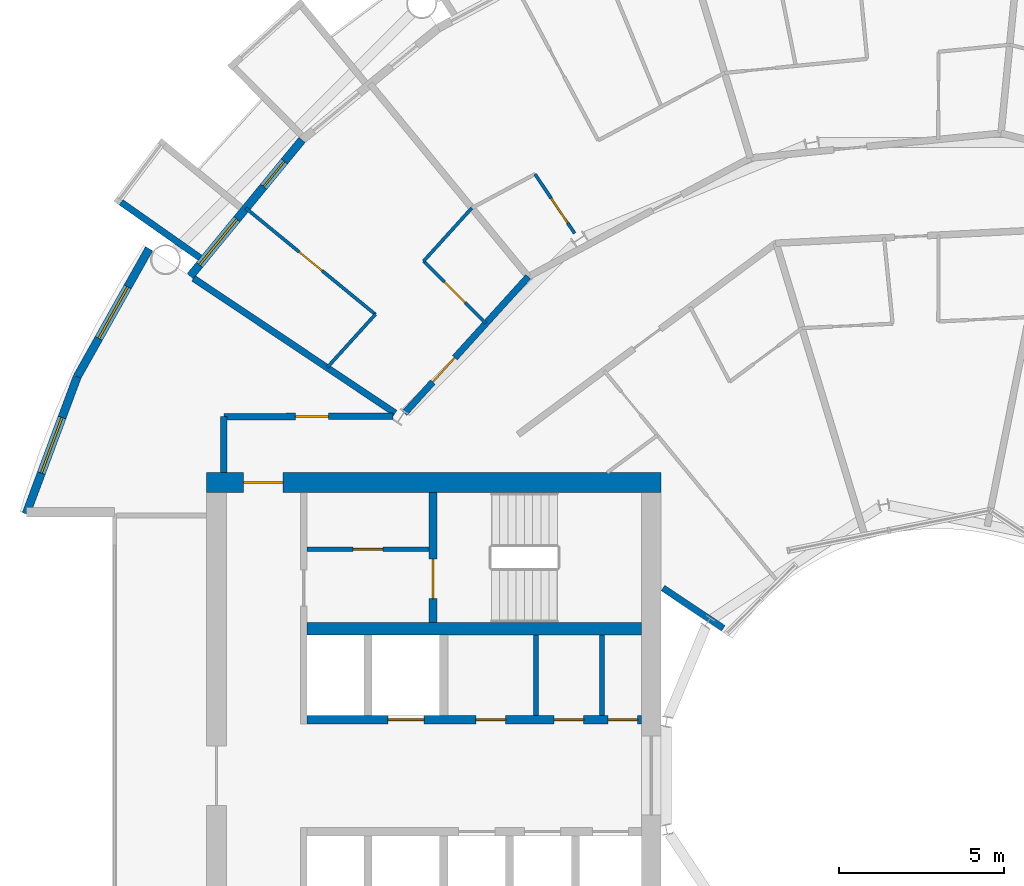
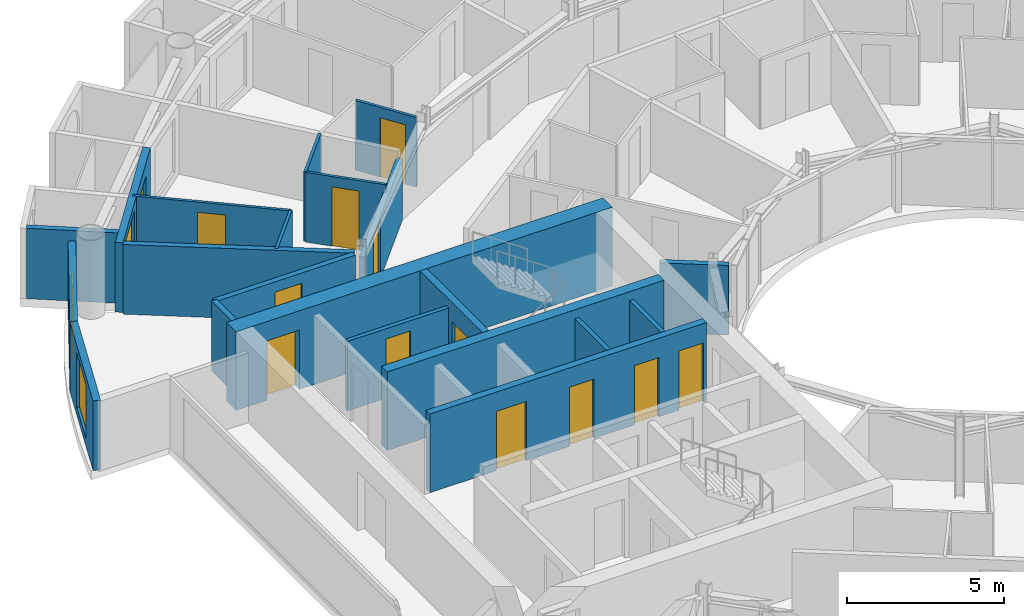
# One storey, part 19 of 26: 21 walls, 13 doors, 3 windows, 16 openings.
"""IFC4 building model written with IfcOpenShell, lengths in metres."""

from ifc_helpers import new_model, si_unit, direction, frame, frame_2d, origin, place, context, subcontext, project, spatial, rectangle, extrude, material, layer, layer_set, type_object, element, fill, save


model = new_model("IFC4")

# Units and contexts
model_context = context("Model", 3, precision=1e-05, world=origin(), true_north=direction((0.0, 1.0)))
body_context = subcontext(model_context, "Body", "Model", "MODEL_VIEW")
ifc_project = project(units=[si_unit("LENGTHUNIT", "METRE"), si_unit("AREAUNIT", "SQUARE_METRE"), si_unit("VOLUMEUNIT", "CUBIC_METRE"), si_unit("PLANEANGLEUNIT", "RADIAN"), si_unit("MASSUNIT", "GRAM", prefix="KILO")], contexts=[model_context])

# Site, building, storey
site_placement = place(None, origin())
site = spatial("IfcSite", under=ifc_project, at=site_placement, CompositionType="ELEMENT")
building_placement = place(site_placement, origin())
building = spatial("IfcBuilding", under=site, at=building_placement, Name="Maasbend Ring Residences", CompositionType="ELEMENT")
storey_placement = place(building_placement, frame((0.0, 0.0, 123.85009765625)))
storey = spatial("IfcBuildingStorey", under=building, at=storey_placement, Name="L35", CompositionType="ELEMENT", Elevation=123.85009765625)

# Wall, openings, doors
ifc_material_1 = material(Name="Concrete C60/75", Category="concrete")
ifc_layer_1 = layer(ifc_material_1, 0.25)
ifc_layer_set_1 = layer_set([ifc_layer_1], Name="Concrete C60/75")
wall_type_1 = type_object("IfcWallType", Name="CORE WALL 250 C60/75", PredefinedType="SHEAR", material=ifc_layer_set_1)
wall_1_placement = place(storey_placement, frame((-19.14990234375, 1.699951171875, 0.0), z_axis=(0.0, 0.0, 1.0), x_axis=(1.0, 0.0, 0.0)))
wall_1 = element("IfcWall", 1, at=wall_1_placement, inside=storey, type_object=wall_type_1, Name="L35 core W wall SPS", PredefinedType="SHEAR", context=body_context, shape_type="SweptSolid", body=[
    extrude(rectangle(XDim=10.14990234375, YDim=0.25, at=frame_2d((5.074951171875, 0.0))), origin(), (0.0, 0.0, 1.0), 3.0498046875),
])
opening_1_placement = place(wall_1_placement, frame((2.449951171875, 0.0, 0.0)))
opening_1 = element("IfcOpeningElement", 2, at=opening_1_placement, cuts=wall_1, Name="Opening LD-W3505", PredefinedType="OPENING", context=body_context, shape_type="SweptSolid", body=[
    extrude(rectangle(XDim=1.10009765625, YDim=2.300048828125, at=frame_2d((0.550048828125, 1.14990234375))), frame((0.0, 0.135009765625, 0.0), z_axis=(0.0, -1.0, 0.0), x_axis=(1.0, 0.0, 0.0)), (0.0, 0.0, 1.0), 0.27001953125),
])
opening_2_placement = place(wall_1_placement, frame((9.137451171875, 0.0, 0.0)))
opening_2 = element("IfcOpeningElement", 3, at=opening_2_placement, cuts=wall_1, Name="Opening D-W3506", PredefinedType="OPENING", context=body_context, shape_type="SweptSolid", body=[
    extrude(rectangle(XDim=0.89990234375, YDim=2.300048828125, at=frame_2d((0.449951171875, 1.14990234375))), frame((0.0, 0.135009765625, 0.0), z_axis=(0.0, -1.0, 0.0), x_axis=(1.0, 0.0, 0.0)), (0.0, 0.0, 1.0), 0.27001953125),
])
opening_3_placement = place(wall_1_placement, frame((7.5, 0.0, 0.0)))
opening_3 = element("IfcOpeningElement", 4, at=opening_3_placement, cuts=wall_1, Name="Opening D-W3507", PredefinedType="OPENING", context=body_context, shape_type="SweptSolid", body=[
    extrude(rectangle(XDim=0.89990234375, YDim=2.300048828125, at=frame_2d((0.449951171875, 1.14990234375))), frame((0.0, 0.135009765625, 0.0), z_axis=(0.0, -1.0, 0.0), x_axis=(1.0, 0.0, 0.0)), (0.0, 0.0, 1.0), 0.27001953125),
])
opening_4_placement = place(wall_1_placement, frame((5.125, 0.0, 0.0)))
opening_4 = element("IfcOpeningElement", 5, at=opening_4_placement, cuts=wall_1, Name="Opening D-W3508", PredefinedType="OPENING", context=body_context, shape_type="SweptSolid", body=[
    extrude(rectangle(XDim=0.89990234375, YDim=2.300048828125, at=frame_2d((0.449951171875, 1.14990234375))), frame((0.0, 0.135009765625, 0.0), z_axis=(0.0, -1.0, 0.0), x_axis=(1.0, 0.0, 0.0)), (0.0, 0.0, 1.0), 0.27001953125),
])
ifc_material_2 = material(Name="Stainless steel 316", Category="steel")
door_type_1 = type_object("IfcDoorType", Name="LANDING DOOR 1100 X 2300 FD60", OperationType="DOUBLE_DOOR_SLIDING", PredefinedType="DOOR", material=ifc_material_2)
door_1_placement = place(opening_1_placement, origin())
door_1 = element("IfcDoor", 6, at=door_1_placement, inside=storey, type_object=door_type_1, Name="Landing door SV-W L35", OperationType="DOUBLE_DOOR_SLIDING", OverallHeight=2.300048828125, OverallWidth=1.10009765625, PredefinedType="DOOR", context=body_context, shape_type="SweptSolid", body=[
    extrude(rectangle(XDim=1.10009765625, YDim=2.300048828125, at=frame_2d((0.550048828125, 1.14990234375))), frame((0.0, 0.02490234375, 0.0), z_axis=(0.0, -1.0, 0.0), x_axis=(1.0, 0.0, 0.0)), (0.0, 0.0, 1.0), 0.050048828125),
])
fill(opening_1, door_1)
ifc_material_3 = material(Name="Steel, powder coated", Category="steel")
door_type_2 = type_object("IfcDoorType", Name="ROOM DOOR 900 X 2300 FD30S", OperationType="NOTDEFINED", PredefinedType="DOOR", material=ifc_material_3)
door_2_placement = place(opening_2_placement, origin())
door_2 = element("IfcDoor", 7, at=door_2_placement, inside=storey, type_object=door_type_2, Name="Room door L35", OperationType="SINGLE_SWING_LEFT", OverallHeight=2.300048828125, OverallWidth=0.89990234375, PredefinedType="DOOR", context=body_context, shape_type="SweptSolid", body=[
    extrude(rectangle(XDim=0.89990234375, YDim=2.300048828125, at=frame_2d((0.449951171875, 1.14990234375))), frame((0.0, 0.02490234375, 0.0), z_axis=(0.0, -1.0, 0.0), x_axis=(1.0, 0.0, 0.0)), (0.0, 0.0, 1.0), 0.050048828125),
])
fill(opening_2, door_2)
door_3_placement = place(opening_3_placement, origin())
door_3 = element("IfcDoor", 8, at=door_3_placement, inside=storey, type_object=door_type_2, Name="Room door L35", OperationType="SINGLE_SWING_LEFT", OverallHeight=2.300048828125, OverallWidth=0.89990234375, PredefinedType="DOOR", context=body_context, shape_type="SweptSolid", body=[
    extrude(rectangle(XDim=0.89990234375, YDim=2.300048828125, at=frame_2d((0.449951171875, 1.14990234375))), frame((0.0, 0.02490234375, 0.0), z_axis=(0.0, -1.0, 0.0), x_axis=(1.0, 0.0, 0.0)), (0.0, 0.0, 1.0), 0.050048828125),
])
fill(opening_3, door_3)
door_4_placement = place(opening_4_placement, origin())
door_4 = element("IfcDoor", 9, at=door_4_placement, inside=storey, type_object=door_type_2, Name="Room door L35", OperationType="SINGLE_SWING_LEFT", OverallHeight=2.300048828125, OverallWidth=0.89990234375, PredefinedType="DOOR", context=body_context, shape_type="SweptSolid", body=[
    extrude(rectangle(XDim=0.89990234375, YDim=2.300048828125, at=frame_2d((0.449951171875, 1.14990234375))), frame((0.0, 0.02490234375, 0.0), z_axis=(0.0, -1.0, 0.0), x_axis=(1.0, 0.0, 0.0)), (0.0, 0.0, 1.0), 0.050048828125),
])
fill(opening_4, door_4)

# Wall, opening, door
wall_2_placement = place(storey_placement, frame((-15.324951171875, 8.60009765625, 0.0), z_axis=(0.0, 0.0, 1.0), x_axis=(0.0, -1.0, 0.0)))
wall_2 = element("IfcWall", 10, at=wall_2_placement, inside=storey, type_object=wall_type_1, Name="L35 core W wall STES", PredefinedType="SHEAR", context=body_context, shape_type="SweptSolid", body=[
    extrude(rectangle(XDim=3.9501953125, YDim=0.25, at=frame_2d((1.97509765625, 0.0))), origin(), (0.0, 0.0, 1.0), 3.0498046875),
])
opening_5_placement = place(wall_2_placement, frame((2.02490234375, 0.0, 0.0)))
opening_5 = element("IfcOpeningElement", 11, at=opening_5_placement, cuts=wall_2, Name="Opening D-W3511", PredefinedType="OPENING", context=body_context, shape_type="SweptSolid", body=[
    extrude(rectangle(XDim=1.199951171875, YDim=2.300048828125, at=frame_2d((0.60009765625, 1.14990234375))), frame((0.0, 0.135009765625, 0.0), z_axis=(0.0, -1.0, 0.0), x_axis=(1.0, 0.0, 0.0)), (0.0, 0.0, 1.0), 0.27001953125),
])
ifc_material_4 = material(Name="Steel, powder coated", Category="steel")
door_type_3 = type_object("IfcDoorType", Name="STAIR DOOR 1200 X 2300 FD60", OperationType="NOTDEFINED", PredefinedType="DOOR", material=ifc_material_4)
door_5_placement = place(opening_5_placement, origin())
door_5 = element("IfcDoor", 12, at=door_5_placement, inside=storey, type_object=door_type_3, Name="Stair door ST-W L35", OperationType="SINGLE_SWING_LEFT", OverallHeight=2.300048828125, OverallWidth=1.199951171875, PredefinedType="DOOR", context=body_context, shape_type="SweptSolid", body=[
    extrude(rectangle(XDim=1.199951171875, YDim=2.300048828125, at=frame_2d((0.60009765625, 1.14990234375))), frame((0.0, 0.02490234375, 0.0), z_axis=(0.0, -1.0, 0.0), x_axis=(1.0, 0.0, 0.0)), (0.0, 0.0, 1.0), 0.050048828125),
])
fill(opening_5, door_5)

# Wall
ifc_material_5 = material(Name="Concrete C60/75", Category="concrete")
ifc_layer_2 = layer(ifc_material_5, 0.375)
ifc_layer_set_2 = layer_set([ifc_layer_2], Name="Concrete C60/75")
wall_type_2 = type_object("IfcWallType", Name="CORE WALL 375 C60/75", PredefinedType="SHEAR", material=ifc_layer_set_2)
wall_3_placement = place(storey_placement, frame((-9.0, 4.46240234375, 0.0), z_axis=(0.0, 0.0, 1.0), x_axis=(-1.0, 0.0, 0.0)))
element("IfcWall", 13, at=wall_3_placement, inside=storey, type_object=wall_type_2, Name="L35 core W wall BS", PredefinedType="SHEAR", context=body_context, shape_type="SweptSolid", body=[
    extrude(rectangle(XDim=10.14990234375, YDim=0.375, at=frame_2d((5.074951171875, 0.0))), origin(), (0.0, 0.0, 1.0), 3.0498046875),
])

# Wall, opening, door
ifc_material_6 = material(Name="Concrete C60/75", Category="concrete")
ifc_layer_3 = layer(ifc_material_6, 0.60009765625)
ifc_layer_set_3 = layer_set([ifc_layer_3], Name="Concrete C60/75")
wall_type_3 = type_object("IfcWallType", Name="CORE WALL 600 C60/75", PredefinedType="SHEAR", material=ifc_layer_set_3)
wall_4_placement = place(storey_placement, frame((-8.39990234375, 8.89990234375, 0.0), z_axis=(0.0, 0.0, 1.0), x_axis=(-1.0, 0.0, 0.0)))
wall_4 = element("IfcWall", 14, at=wall_4_placement, inside=storey, type_object=wall_type_3, Name="L35 core W wall PS", PredefinedType="SHEAR", context=body_context, shape_type="SweptSolid", body=[
    extrude(rectangle(XDim=13.800048828125, YDim=0.60009765625, at=frame_2d((6.89990234375, 0.0))), origin(), (0.0, 0.0, 1.0), 3.0498046875),
])
opening_6_placement = place(wall_4_placement, frame((11.47509765625, 0.0, 0.0)))
opening_6 = element("IfcOpeningElement", 15, at=opening_6_placement, cuts=wall_4, Name="Opening D-W3515", PredefinedType="OPENING", context=body_context, shape_type="SweptSolid", body=[
    extrude(rectangle(XDim=1.199951171875, YDim=2.300048828125, at=frame_2d((0.60009765625, 1.14990234375))), frame((0.0, 0.31005859375, 0.0), z_axis=(0.0, -1.0, 0.0), x_axis=(1.0, 0.0, 0.0)), (0.0, 0.0, 1.0), 0.6201171875),
])
ifc_material_7 = material(Name="Steel, powder coated", Category="steel")
door_type_4 = type_object("IfcDoorType", Name="CORRIDOR DOOR 1200 X 2300 FD30S", OperationType="NOTDEFINED", PredefinedType="DOOR", material=ifc_material_7)
door_6_placement = place(opening_6_placement, origin())
door_6 = element("IfcDoor", 16, at=door_6_placement, inside=storey, type_object=door_type_4, Name="Corridor door L35", OperationType="SINGLE_SWING_LEFT", OverallHeight=2.300048828125, OverallWidth=1.199951171875, PredefinedType="DOOR", context=body_context, shape_type="SweptSolid", body=[
    extrude(rectangle(XDim=1.199951171875, YDim=2.300048828125, at=frame_2d((0.60009765625, 1.14990234375))), frame((0.0, 0.02490234375, 0.0), z_axis=(0.0, -1.0, 0.0), x_axis=(1.0, 0.0, 0.0)), (0.0, 0.0, 1.0), 0.050048828125),
])
fill(opening_6, door_6)

ifc_material_8 = material(Name="Concrete C30/37", Category="concrete")
ifc_layer_4 = layer(ifc_material_8, 0.199951171875)
ifc_layer_set_4 = layer_set([ifc_layer_4], Name="Concrete C30/37")
wall_type_4 = type_object("IfcWallType", Name="CORRIDOR WALL 200 CONCRETE", PredefinedType="PARTITIONING", material=ifc_layer_set_4)
wall_5_placement = place(storey_placement, frame((-21.675048828125, 10.89990234375, 0.0), z_axis=(0.0, 0.0, 1.0), x_axis=(0.999997173357, 0.002377662213, 0.0)))
wall_5 = element("IfcWall", 17, at=wall_5_placement, inside=storey, type_object=wall_type_4, Name="U-L35-w098", PredefinedType="PARTITIONING", context=body_context, shape_type="SweptSolid", body=[
    extrude(rectangle(XDim=5.134033203125, YDim=0.199951171875, at=frame_2d((2.56689453125, 0.0))), origin(), (0.0, 0.0, 1.0), 2.699951171875),
])
opening_7_placement = place(wall_5_placement, frame((2.1708984375, 0.0, 0.0)))
opening_7 = element("IfcOpeningElement", 18, at=opening_7_placement, cuts=wall_5, Name="Opening D-3564", PredefinedType="OPENING", context=body_context, shape_type="SweptSolid", body=[
    extrude(rectangle(XDim=1.0, YDim=2.300048828125, at=frame_2d((0.5, 1.14990234375))), frame((0.0, 0.10986328125, 0.0), z_axis=(0.0, -1.0, 0.0), x_axis=(1.0, 0.0, 0.0)), (0.0, 0.0, 1.0), 0.219970703125),
])
ifc_material_9 = material(Name="Timber, painted", Category="wood")
door_type_5 = type_object("IfcDoorType", Name="ROOM DOOR 1000 X 2300", OperationType="NOTDEFINED", PredefinedType="DOOR", material=ifc_material_9)
door_7_placement = place(opening_7_placement, origin())
door_7 = element("IfcDoor", 19, at=door_7_placement, inside=storey, type_object=door_type_5, Name="D-3564", OperationType="SINGLE_SWING_RIGHT", OverallHeight=2.300048828125, OverallWidth=1.0, PredefinedType="DOOR", context=body_context, shape_type="SweptSolid", body=[
    extrude(rectangle(XDim=1.0, YDim=2.300048828125, at=frame_2d((0.5, 1.14990234375))), frame((0.0, 0.02490234375, 0.0), z_axis=(0.0, -1.0, 0.0), x_axis=(1.0, 0.0, 0.0)), (0.0, 0.0, 1.0), 0.050048828125),
])
fill(opening_7, door_7)

wall_6_placement = place(storey_placement, frame((-16.19189453125, 11.00390625, 0.0), z_axis=(0.0, 0.0, 1.0), x_axis=(0.671481997275, 0.741020868354, 0.0)))
wall_6 = element("IfcWall", 20, at=wall_6_placement, inside=storey, type_object=wall_type_4, Name="U-L35-w111", PredefinedType="PARTITIONING", context=body_context, shape_type="SweptSolid", body=[
    extrude(rectangle(XDim=5.59619140625, YDim=0.199951171875, at=frame_2d((2.798095703125, 0.0))), origin(), (0.0, 0.0, 1.0), 2.389892578125),
])
opening_8_placement = place(wall_6_placement, frame((1.277099609375, 0.0, 0.0)))
opening_8 = element("IfcOpeningElement", 21, at=opening_8_placement, cuts=wall_6, Name="Opening D-3518", PredefinedType="OPENING", context=body_context, shape_type="SweptSolid", body=[
    extrude(rectangle(XDim=1.0, YDim=2.300048828125, at=frame_2d((0.5, 1.14990234375))), frame((0.0, 0.10986328125, 0.0), z_axis=(0.0, -1.0, 0.0), x_axis=(1.0, 0.0, 0.0)), (0.0, 0.0, 1.0), 0.219970703125),
])
ifc_material_10 = material(Name="Timber, fire-rated, painted", Category="wood")
door_type_6 = type_object("IfcDoorType", Name="FLAT ENTRANCE DOOR 1000 X 2300 FIRE-RATED", OperationType="NOTDEFINED", PredefinedType="DOOR", material=ifc_material_10)
door_8_placement = place(opening_8_placement, origin())
door_8 = element("IfcDoor", 22, at=door_8_placement, inside=storey, type_object=door_type_6, Name="D-3518", OperationType="SINGLE_SWING_LEFT", OverallHeight=2.300048828125, OverallWidth=1.0, PredefinedType="DOOR", context=body_context, shape_type="SweptSolid", body=[
    extrude(rectangle(XDim=1.0, YDim=2.300048828125, at=frame_2d((0.5, 1.14990234375))), frame((0.0, 0.02490234375, 0.0), z_axis=(0.0, -1.0, 0.0), x_axis=(1.0, 0.0, 0.0)), (0.0, 0.0, 1.0), 0.050048828125),
])
fill(opening_8, door_8)

# Walls
wall_7_placement = place(storey_placement, frame((-21.675048828125, 9.199951171875, 0.0), z_axis=(0.0, 0.0, 1.0), x_axis=(0.0, 1.0, 0.0)))
element("IfcWall", 23, at=wall_7_placement, inside=storey, type_object=wall_type_4, Name="U-L35-w118", PredefinedType="PARTITIONING", context=body_context, shape_type="SweptSolid", body=[
    extrude(rectangle(XDim=1.699951171875, YDim=0.199951171875, at=frame_2d((0.85009765625, 0.0))), origin(), (0.0, 0.0, 1.0), 2.699951171875),
])
ifc_material_11 = material(Name="Pale anodised aluminium panel", Category="aluminium")
ifc_layer_5 = layer(ifc_material_11, 0.199951171875)
ifc_layer_set_5 = layer_set([ifc_layer_5], Name="EW-BOX")
wall_type_5 = type_object("IfcWallType", Name="EW-BOX", PredefinedType="SOLIDWALL", material=ifc_layer_set_5)
wall_8_placement = place(storey_placement, frame((-22.402099609375, 15.72607421875, -0.030029296875), z_axis=(0.0, 0.0, 1.0), x_axis=(-0.818275399393, 0.574826383135, 0.0)))
element("IfcWall", 24, at=wall_8_placement, inside=storey, type_object=wall_type_5, Name="Box side wall N20 right", PredefinedType="SOLIDWALL", context=body_context, shape_type="SweptSolid", body=[
    extrude(rectangle(XDim=2.92919921875, YDim=0.199951171875, at=frame_2d((1.464599609375, 0.0))), origin(), (0.0, 0.0, 1.0), 2.72998046875),
])

# Wall, openings, door, window
ifc_material_12 = material(Name="Aluminium clad insulated panel", Category="aluminium")
ifc_layer_6 = layer(ifc_material_12, 0.25)
ifc_layer_set_6 = layer_set([ifc_layer_6], Name="EW-GL")
wall_type_6 = type_object("IfcWallType", Name="EW-GL", PredefinedType="SOLIDWALL", material=ifc_layer_set_6)
wall_9_placement = place(storey_placement, frame((-19.303955078125, 19.303955078125, 0.0), z_axis=(0.0, 0.0, 1.0), x_axis=(-0.634382322723, -0.773019449054, 0.0)))
wall_9 = element("IfcWall", 25, at=wall_9_placement, inside=storey, type_object=wall_type_6, Name="External wall N10", PredefinedType="SOLIDWALL", context=body_context, shape_type="SweptSolid", body=[
    extrude(rectangle(XDim=5.351806640625, YDim=0.25, at=frame_2d((2.67578125, 0.0))), origin(), (0.0, 0.0, 1.0), 2.699951171875),
])
opening_9_placement = place(wall_9_placement, frame((0.841064453125, 0.0, 0.0)))
opening_9 = element("IfcOpeningElement", 26, at=opening_9_placement, cuts=wall_9, Name="Opening D-LG", PredefinedType="OPENING", context=body_context, shape_type="SweptSolid", body=[
    extrude(rectangle(XDim=1.0, YDim=2.199951171875, at=frame_2d((0.5, 1.10009765625))), frame((0.0, 0.135009765625, 0.0), z_axis=(0.0, -1.0, 0.0), x_axis=(1.0, 0.0, 0.0)), (0.0, 0.0, 1.0), 0.27001953125),
])
opening_10_placement = place(wall_9_placement, frame((3.110595703125, 0.0, 0.300048828125)))
opening_10 = element("IfcOpeningElement", 27, at=opening_10_placement, cuts=wall_9, Name="Opening W-BX", PredefinedType="OPENING", context=body_context, shape_type="SweptSolid", body=[
    extrude(rectangle(XDim=1.800048828125, YDim=2.10009765625, at=frame_2d((0.89990234375, 1.050048828125))), frame((0.0, 0.135009765625, 0.0), z_axis=(0.0, -1.0, 0.0), x_axis=(1.0, 0.0, 0.0)), (0.0, 0.0, 1.0), 0.27001953125),
])
ifc_material_13 = material(Name="Aluminium and clear glass", Category="aluminium")
door_type_7 = type_object("IfcDoorType", Name="D-LG", OperationType="SINGLE_SWING_LEFT", PredefinedType="DOOR", material=ifc_material_13)
door_9_placement = place(opening_9_placement, origin())
door_9 = element("IfcDoor", 28, at=door_9_placement, inside=storey, type_object=door_type_7, Name="Loggia door N19", OperationType="SINGLE_SWING_LEFT", OverallHeight=2.199951171875, OverallWidth=1.0, PredefinedType="DOOR", context=body_context, shape_type="SweptSolid", body=[
    extrude(rectangle(XDim=1.0, YDim=2.199951171875, at=frame_2d((0.5, 1.10009765625))), frame((0.0, 0.02490234375, 0.0), z_axis=(0.0, -1.0, 0.0), x_axis=(1.0, 0.0, 0.0)), (0.0, 0.0, 1.0), 0.050048828125),
])
fill(opening_9, door_9)
ifc_material_14 = material(Name="Aluminium and clear glass", Category="aluminium")
window_type = type_object("IfcWindowType", Name="W-BX", PartitioningType="DOUBLE_PANEL_VERTICAL", PredefinedType="WINDOW", material=ifc_material_14)
window_1_placement = place(opening_10_placement, origin())
window_1 = element("IfcWindow", 29, at=window_1_placement, inside=storey, type_object=window_type, Name="Window N20 room to box", OverallHeight=2.10009765625, OverallWidth=1.800048828125, PartitioningType="SINGLE_PANEL", PredefinedType="WINDOW", context=body_context, shape_type="SweptSolid", body=[
    extrude(rectangle(XDim=1.800048828125, YDim=2.10009765625, at=frame_2d((0.89990234375, 1.050048828125))), frame((0.0, 0.030029296875, 0.0), z_axis=(0.0, -1.0, 0.0), x_axis=(1.0, 0.0, 0.0)), (0.0, 0.0, 1.0), 0.06005859375),
])
fill(opening_10, window_1)

# Wall, opening, window
ifc_material_15 = material(Name="Aluminium clad insulated panel", Category="aluminium")
ifc_layer_7 = layer(ifc_material_15, 0.25)
ifc_layer_set_7 = layer_set([ifc_layer_7], Name="EW-HORN")
wall_type_7 = type_object("IfcWallType", Name="EW-HORN", PredefinedType="SOLIDWALL", material=ifc_layer_set_7)
wall_10_placement = place(storey_placement, frame((-23.946044921875, 16.0, 0.0), z_axis=(0.0, 0.0, 1.0), x_axis=(-0.489696356642, -0.871893042919, 0.0)))
wall_10 = element("IfcWall", 30, at=wall_10_placement, inside=storey, type_object=wall_type_7, Name="Horn wall 4.1", PredefinedType="SOLIDWALL", context=body_context, shape_type="SweptSolid", body=[
    extrude(rectangle(XDim=4.45361328125, YDim=0.25, at=frame_2d((2.226806640625, 0.0))), origin(), (0.0, 0.0, 1.0), 2.699951171875),
])
opening_11_placement = place(wall_10_placement, frame((1.32666015625, 0.0, 0.300048828125)))
opening_11 = element("IfcOpeningElement", 31, at=opening_11_placement, cuts=wall_10, Name="Opening W-BX", PredefinedType="OPENING", context=body_context, shape_type="SweptSolid", body=[
    extrude(rectangle(XDim=1.800048828125, YDim=2.10009765625, at=frame_2d((0.89990234375, 1.050048828125))), frame((0.0, 0.135009765625, 0.0), z_axis=(0.0, -1.0, 0.0), x_axis=(1.0, 0.0, 0.0)), (0.0, 0.0, 1.0), 0.27001953125),
])
window_2_placement = place(opening_11_placement, origin())
window_2 = element("IfcWindow", 32, at=window_2_placement, inside=storey, type_object=window_type, Name="Horn window 4.1", OverallHeight=2.10009765625, OverallWidth=1.800048828125, PartitioningType="SINGLE_PANEL", PredefinedType="WINDOW", context=body_context, shape_type="SweptSolid", body=[
    extrude(rectangle(XDim=1.800048828125, YDim=2.10009765625, at=frame_2d((0.89990234375, 1.050048828125))), frame((0.0, 0.030029296875, 0.0), z_axis=(0.0, -1.0, 0.0), x_axis=(1.0, 0.0, 0.0)), (0.0, 0.0, 1.0), 0.06005859375),
])
fill(opening_11, window_2)

wall_11_placement = place(storey_placement, frame((-26.126953125, 12.116943359375, 0.0), z_axis=(0.0, 0.0, 1.0), x_axis=(-0.349247811493, -0.937030397675, 0.0)))
wall_11 = element("IfcWall", 33, at=wall_11_placement, inside=storey, type_object=wall_type_7, Name="Horn wall 4.2", PredefinedType="SOLIDWALL", context=body_context, shape_type="SweptSolid", body=[
    extrude(rectangle(XDim=4.4521484375, YDim=0.25, at=frame_2d((2.22607421875, 0.0))), origin(), (0.0, 0.0, 1.0), 2.699951171875),
])
opening_12_placement = place(wall_11_placement, frame((1.32666015625, 0.0, 0.300048828125)))
opening_12 = element("IfcOpeningElement", 34, at=opening_12_placement, cuts=wall_11, Name="Opening W-BX", PredefinedType="OPENING", context=body_context, shape_type="SweptSolid", body=[
    extrude(rectangle(XDim=1.800048828125, YDim=2.10009765625, at=frame_2d((0.89990234375, 1.050048828125))), frame((0.0, 0.135009765625, 0.0), z_axis=(0.0, -1.0, 0.0), x_axis=(1.0, 0.0, 0.0)), (0.0, 0.0, 1.0), 0.27001953125),
])
window_3_placement = place(opening_12_placement, origin())
window_3 = element("IfcWindow", 35, at=window_3_placement, inside=storey, type_object=window_type, Name="Horn window 4.2", OverallHeight=2.10009765625, OverallWidth=1.800048828125, PartitioningType="SINGLE_PANEL", PredefinedType="WINDOW", context=body_context, shape_type="SweptSolid", body=[
    extrude(rectangle(XDim=1.800048828125, YDim=2.10009765625, at=frame_2d((0.89990234375, 1.050048828125))), frame((0.0, 0.030029296875, 0.0), z_axis=(0.0, -1.0, 0.0), x_axis=(1.0, 0.0, 0.0)), (0.0, 0.0, 1.0), 0.06005859375),
])
fill(opening_12, window_3)

# Wall, opening, door
ifc_material_16 = material(Name="Gypsum board on steel studs", Category="steel")
ifc_layer_8 = layer(ifc_material_16, 0.10009765625)
ifc_layer_set_8 = layer_set([ifc_layer_8], Name="PARTITION 100 GYPSUM")
wall_type_8 = type_object("IfcWallType", Name="PARTITION 100 GYPSUM", PredefinedType="PARTITIONING", material=ifc_layer_set_8)
wall_12_placement = place(storey_placement, frame((-21.011962890625, 17.23291015625, 0.0), z_axis=(0.0, 0.0, 1.0), x_axis=(0.77326214499, -0.634086472908, 0.0)))
wall_12 = element("IfcWall", 36, at=wall_12_placement, inside=storey, type_object=wall_type_8, Name="U-L35-w040", PredefinedType="PARTITIONING", context=body_context, shape_type="SweptSolid", body=[
    extrude(rectangle(XDim=5.0888671875, YDim=0.10009765625, at=frame_2d((2.54443359375, 0.0))), origin(), (0.0, 0.0, 1.0), 2.699951171875),
])
opening_13_placement = place(wall_12_placement, frame((2.093994140625, 0.0, 0.0)))
opening_13 = element("IfcOpeningElement", 37, at=opening_13_placement, cuts=wall_12, Name="Opening D-3520", PredefinedType="OPENING", context=body_context, shape_type="SweptSolid", body=[
    extrude(rectangle(XDim=0.89990234375, YDim=2.300048828125, at=frame_2d((0.449951171875, 1.14990234375))), frame((0.0, 0.06005859375, 0.0), z_axis=(0.0, -1.0, 0.0), x_axis=(1.0, 0.0, 0.0)), (0.0, 0.0, 1.0), 0.1201171875),
])
ifc_material_17 = material(Name="Timber, painted", Category="wood")
door_type_8 = type_object("IfcDoorType", Name="INTERNAL DOOR 900 X 2300", OperationType="NOTDEFINED", PredefinedType="DOOR", material=ifc_material_17)
door_10_placement = place(opening_13_placement, origin())
door_10 = element("IfcDoor", 38, at=door_10_placement, inside=storey, type_object=door_type_8, Name="D-3520", OperationType="SINGLE_SWING_RIGHT", OverallHeight=2.300048828125, OverallWidth=0.89990234375, PredefinedType="DOOR", context=body_context, shape_type="SweptSolid", body=[
    extrude(rectangle(XDim=0.89990234375, YDim=2.300048828125, at=frame_2d((0.449951171875, 1.14990234375))), frame((0.0, 0.02490234375, 0.0), z_axis=(0.0, -1.0, 0.0), x_axis=(1.0, 0.0, 0.0)), (0.0, 0.0, 1.0), 0.050048828125),
])
fill(opening_13, door_10)

wall_13_placement = place(storey_placement, frame((-15.612060546875, 15.6220703125, 0.0), z_axis=(0.0, 0.0, 1.0), x_axis=(0.706741540154, -0.707471833659, 0.0)))
wall_13 = element("IfcWall", 39, at=wall_13_placement, inside=storey, type_object=wall_type_8, Name="U-L35-w045", PredefinedType="PARTITIONING", context=body_context, shape_type="SweptSolid", body=[
    extrude(rectangle(XDim=2.67431640625, YDim=0.10009765625, at=frame_2d((1.337158203125, 0.0))), origin(), (0.0, 0.0, 1.0), 2.699951171875),
])
opening_14_placement = place(wall_13_placement, frame((0.886962890625, 0.0, 0.0)))
opening_14 = element("IfcOpeningElement", 40, at=opening_14_placement, cuts=wall_13, Name="Opening D-3519", PredefinedType="OPENING", context=body_context, shape_type="SweptSolid", body=[
    extrude(rectangle(XDim=0.89990234375, YDim=2.300048828125, at=frame_2d((0.449951171875, 1.14990234375))), frame((0.0, 0.06005859375, 0.0), z_axis=(0.0, -1.0, 0.0), x_axis=(1.0, 0.0, 0.0)), (0.0, 0.0, 1.0), 0.1201171875),
])
door_11_placement = place(opening_14_placement, origin())
door_11 = element("IfcDoor", 41, at=door_11_placement, inside=storey, type_object=door_type_8, Name="D-3519", OperationType="SINGLE_SWING_RIGHT", OverallHeight=2.300048828125, OverallWidth=0.89990234375, PredefinedType="DOOR", context=body_context, shape_type="SweptSolid", body=[
    extrude(rectangle(XDim=0.89990234375, YDim=2.300048828125, at=frame_2d((0.449951171875, 1.14990234375))), frame((0.0, 0.02490234375, 0.0), z_axis=(0.0, -1.0, 0.0), x_axis=(1.0, 0.0, 0.0)), (0.0, 0.0, 1.0), 0.050048828125),
])
fill(opening_14, door_11)

wall_14_placement = place(storey_placement, frame((-12.22900390625, 18.263916015625, 0.0), z_axis=(0.0, 0.0, 1.0), x_axis=(0.556469477731, -0.830868052313, 0.0)))
wall_14 = element("IfcWall", 42, at=wall_14_placement, inside=storey, type_object=wall_type_8, Name="U-L35-w048", PredefinedType="PARTITIONING", context=body_context, shape_type="SweptSolid", body=[
    extrude(rectangle(XDim=2.163818359375, YDim=0.10009765625, at=frame_2d((1.08203125, 0.0))), origin(), (0.0, 0.0, 1.0), 2.699951171875),
])
opening_15_placement = place(wall_14_placement, frame((0.881103515625, 0.0, 0.0)))
opening_15 = element("IfcOpeningElement", 43, at=opening_15_placement, cuts=wall_14, Name="Opening D-3515", PredefinedType="OPENING", context=body_context, shape_type="SweptSolid", body=[
    extrude(rectangle(XDim=0.89990234375, YDim=2.300048828125, at=frame_2d((0.449951171875, 1.14990234375))), frame((0.0, 0.06005859375, 0.0), z_axis=(0.0, -1.0, 0.0), x_axis=(1.0, 0.0, 0.0)), (0.0, 0.0, 1.0), 0.1201171875),
])
door_12_placement = place(opening_15_placement, origin())
door_12 = element("IfcDoor", 44, at=door_12_placement, inside=storey, type_object=door_type_8, Name="D-3515", OperationType="SINGLE_SWING_RIGHT", OverallHeight=2.300048828125, OverallWidth=0.89990234375, PredefinedType="DOOR", context=body_context, shape_type="SweptSolid", body=[
    extrude(rectangle(XDim=0.89990234375, YDim=2.300048828125, at=frame_2d((0.449951171875, 1.14990234375))), frame((0.0, 0.02490234375, 0.0), z_axis=(0.0, -1.0, 0.0), x_axis=(1.0, 0.0, 0.0)), (0.0, 0.0, 1.0), 0.050048828125),
])
fill(opening_15, door_12)

# Walls
for number, where, z_axis, x_axis, name in (
    (45, (-18.5380859375, 12.39404296875, 0.0), (0.0, 0.0, 1.0), (0.67169789574, 0.740825172937, 0.0), "U-L35-w123"),
    (46, (-15.613037109375, 15.62109375, 0.0), (0.0, 0.0, 1.0), (0.67169789574, 0.740825172937, 0.0), "U-L35-w124"),
):
    element("IfcWall", number, at=place(storey_placement, frame(where, z_axis=z_axis, x_axis=x_axis)), inside=storey, type_object=wall_type_8, Name=name, PredefinedType="PARTITIONING", context=body_context, shape_type="SweptSolid", body=[
        extrude(rectangle(XDim=2.1826171875, YDim=0.10009765625, at=frame_2d((1.09130859375, 0.0))), origin(), (0.0, 0.0, 1.0), 2.699951171875),
    ])
ifc_material_18 = material(Name="Gypsum board on steel studs", Category="steel")
ifc_layer_9 = layer(ifc_material_18, 0.14990234375)
ifc_layer_set_9 = layer_set([ifc_layer_9], Name="PARTITION 150 EI 60")
wall_type_9 = type_object("IfcWallType", Name="PARTITION 150 EI 60", PredefinedType="PARTITIONING", material=ifc_layer_set_9)
for number, where, z_axis, x_axis, name in (
    (47, (-10.199951171875, 1.824951171875, 0.0), (0.0, 0.0, 1.0), (0.0, 1.0, 0.0), "L35 core W wall PRS1020"),
    (48, (-12.199951171875, 1.824951171875, 0.0), (0.0, 0.0, 1.0), (0.0, 1.0, 0.0), "L35 core W wall PRS1220"),
):
    element("IfcWall", number, at=place(storey_placement, frame(where, z_axis=z_axis, x_axis=x_axis)), inside=storey, type_object=wall_type_9, Name=name, PredefinedType="PARTITIONING", context=body_context, shape_type="SweptSolid", body=[
        extrude(rectangle(XDim=2.449951171875, YDim=0.14990234375, at=frame_2d((1.22509765625, 0.0))), origin(), (0.0, 0.0, 1.0), 2.699951171875),
    ])

# Wall, opening, door
wall_15_placement = place(storey_placement, frame((-15.449951171875, 6.875, 0.0), z_axis=(0.0, 0.0, 1.0), x_axis=(-1.0, 0.0, 0.0)))
wall_15 = element("IfcWall", 49, at=wall_15_placement, inside=storey, type_object=wall_type_9, Name="L35 core W wall RHS", PredefinedType="PARTITIONING", context=body_context, shape_type="SweptSolid", body=[
    extrude(rectangle(XDim=3.699951171875, YDim=0.14990234375, at=frame_2d((1.85009765625, 0.0))), origin(), (0.0, 0.0, 1.0), 2.699951171875),
])
opening_16_placement = place(wall_15_placement, frame((1.39990234375, 0.0, 0.0)))
opening_16 = element("IfcOpeningElement", 50, at=opening_16_placement, cuts=wall_15, Name="Opening D-W3509", PredefinedType="OPENING", context=body_context, shape_type="SweptSolid", body=[
    extrude(rectangle(XDim=0.89990234375, YDim=2.300048828125, at=frame_2d((0.449951171875, 1.14990234375))), frame((0.0, 0.0849609375, 0.0), z_axis=(0.0, -1.0, 0.0), x_axis=(1.0, 0.0, 0.0)), (0.0, 0.0, 1.0), 0.169921875),
])
ifc_material_19 = material(Name="Steel, powder coated", Category="steel")
door_type_9 = type_object("IfcDoorType", Name="RISER DOOR 900 X 2300 FD60", OperationType="NOTDEFINED", PredefinedType="DOOR", material=ifc_material_19)
door_13_placement = place(opening_16_placement, origin())
door_13 = element("IfcDoor", 51, at=door_13_placement, inside=storey, type_object=door_type_9, Name="Riser door L35", OperationType="SINGLE_SWING_LEFT", OverallHeight=2.300048828125, OverallWidth=0.89990234375, PredefinedType="DOOR", context=body_context, shape_type="SweptSolid", body=[
    extrude(rectangle(XDim=0.89990234375, YDim=2.300048828125, at=frame_2d((0.449951171875, 1.14990234375))), frame((0.0, 0.02490234375, 0.0), z_axis=(0.0, -1.0, 0.0), x_axis=(1.0, 0.0, 0.0)), (0.0, 0.0, 1.0), 0.050048828125),
])
fill(opening_16, door_13)

# Walls
ifc_material_20 = material(Name="Concrete C30/37", Category="concrete")
ifc_layer_10 = layer(ifc_material_20, 0.199951171875)
ifc_layer_set_10 = layer_set([ifc_layer_10], Name="Concrete C30/37")
wall_type_10 = type_object("IfcWallType", Name="PARTY WALL 200 CONCRETE", PredefinedType="PARTITIONING", material=ifc_layer_set_10)
wall_16_placement = place(storey_placement, frame((-22.594970703125, 15.097900390625, 0.0), z_axis=(0.0, 0.0, 1.0), x_axis=(0.831406593008, -0.555664536482, 0.0)))
element("IfcWall", 52, at=wall_16_placement, inside=storey, type_object=wall_type_10, Name="U-L35-w039", PredefinedType="PARTITIONING", context=body_context, shape_type="SweptSolid", body=[
    extrude(rectangle(XDim=7.3583984375, YDim=0.199951171875, at=frame_2d((3.67919921875, 0.0))), origin(), (0.0, 0.0, 1.0), 2.699951171875),
])
wall_17_placement = place(storey_placement, frame((-6.512939453125, 4.471923828125, 0.0), z_axis=(0.0, 0.0, 1.0), x_axis=(-0.831333375071, 0.555774072347, 0.0)))
element("IfcWall", 53, at=wall_17_placement, inside=storey, type_object=wall_type_10, Name="U-L35-w096", PredefinedType="PARTITIONING", context=body_context, shape_type="SweptSolid", body=[
    extrude(rectangle(XDim=2.20263671875, YDim=0.199951171875, at=frame_2d((1.101318359375, 0.0))), origin(), (0.0, 0.0, 1.0), 2.699951171875),
])

save(model, "model.ifc")
